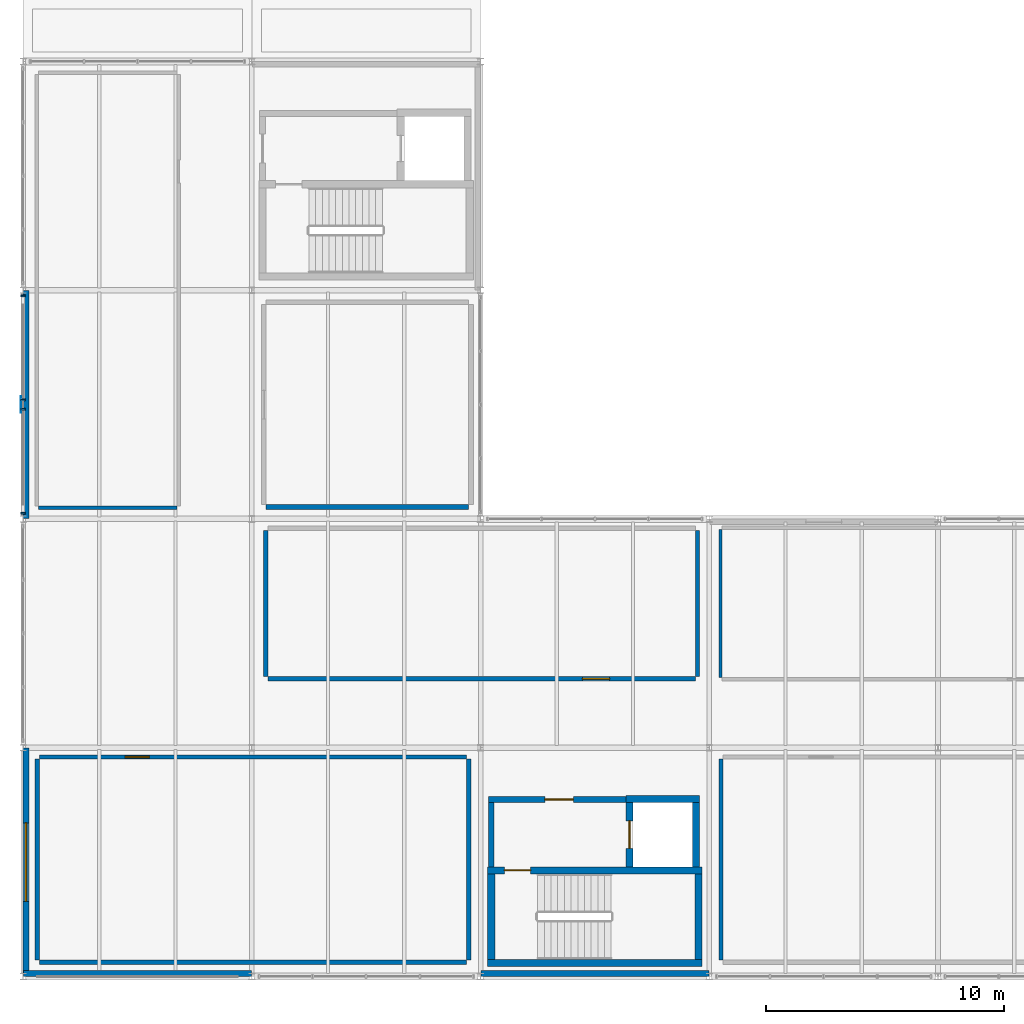
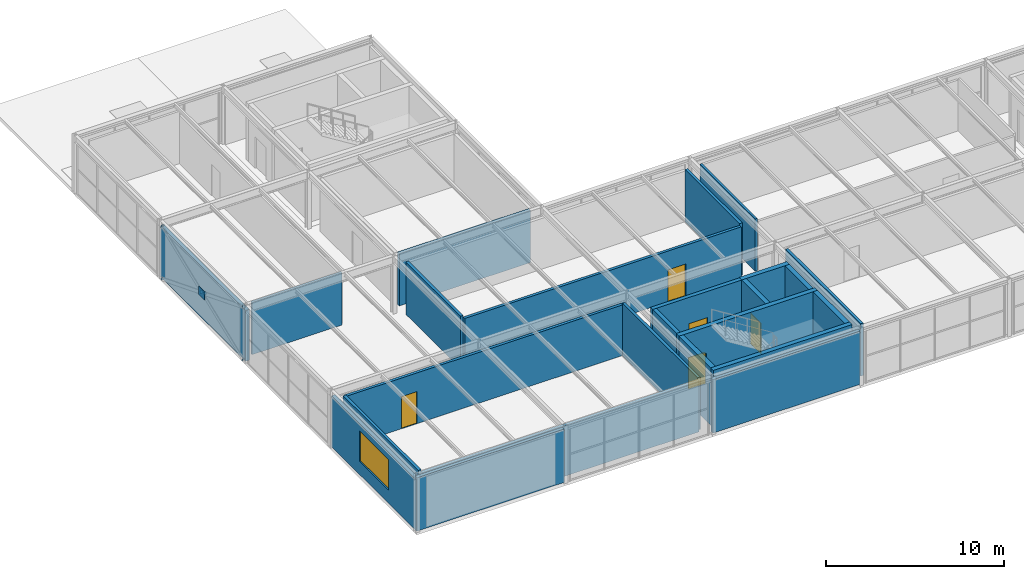
# One storey, part 34 of 39: 24 walls, 7 plates, 5 doors, 1 window, 6 openings.
"""IFC4 building model written with IfcOpenShell, lengths in metres."""

import ifcopenshell
import ifcopenshell.guid

model = None  # the IFC model being written
_history = None  # IfcOwnerHistory: only IFC2X3 demands one
_inside = {}  # id of a spatial element -> (the spatial element, [elements in it])
_under = {}  # id of a project, library or spatial element -> (it, [spatial elements below it])
_declared = {}  # id of a project -> (the project, [libraries it declares])
_typed = {}  # id of a type object -> (the type object, [elements of that type])
_made_of = {}  # id of a material, layer set ... -> (it, [elements and type objects made of it])


def new_model(schema):
    """Start an empty IFC model of exactly this schema.

    Asked for "IFC4X3", IfcOpenShell would pick the latest addendum, in which some entities
    have other attributes; the version numbers below select the first issue.
    IFC2X3 requires an IfcOwnerHistory on every rooted entity: one is made here for all.
    """
    global model, _history
    if schema == "IFC4X3":
        model = ifcopenshell.file(schema_version=(4, 3, 0, 0))
    else:
        model = ifcopenshell.file(schema=schema)
    _inside.clear()
    _under.clear()
    _declared.clear()
    _typed.clear()
    _made_of.clear()
    _history = None
    if model.schema == "IFC2X3":
        org = make("IfcOrganization", Name="unknown")
        user = make(
            "IfcPersonAndOrganization",
            ThePerson=make("IfcPerson", FamilyName="unknown"),
            TheOrganization=org,
        )
        app = make(
            "IfcApplication",
            ApplicationDeveloper=org,
            Version="unknown",
            ApplicationFullName="unknown",
            ApplicationIdentifier="unknown",
        )
        _history = make(
            "IfcOwnerHistory",
            OwningUser=user,
            OwningApplication=app,
            ChangeAction="ADDED",
            CreationDate=0,
        )
    return model


def make(cls, **values):
    """One entity of the class cls with the attributes given. An attribute that is None is left unset."""
    return model.create_entity(
        cls, **{name: value for name, value in values.items() if value is not None}
    )


def rooted(cls, **values):
    """An entity with a GlobalId (a new one), such as an element, a storey or a relation."""
    return make(cls, GlobalId=ifcopenshell.guid.new(), OwnerHistory=_history, **values)


def si_unit(unit_type, name, prefix=None):
    """IfcSIUnit, for example si_unit("LENGTHUNIT", "METRE", prefix="MILLI")."""
    return make("IfcSIUnit", UnitType=unit_type, Prefix=prefix, Name=name)


def assignment(units):
    """IfcUnitAssignment: the units of a project."""
    return None if units is None else make("IfcUnitAssignment", Units=units)


def point(xyz):
    """IfcCartesianPoint."""
    return None if xyz is None else make("IfcCartesianPoint", Coordinates=xyz)


def direction(xyz):
    """IfcDirection."""
    return None if xyz is None else make("IfcDirection", DirectionRatios=xyz)


def frame(location, z_axis=None, x_axis=None):
    """IfcAxis2Placement3D, a coordinate frame: its origin and axes. An axis left out is left unset."""
    return make(
        "IfcAxis2Placement3D",
        Location=point(location),
        Axis=direction(z_axis),
        RefDirection=direction(x_axis),
    )


def frame_2d(location, x_axis=None):
    """IfcAxis2Placement2D, a coordinate frame in the plane: its origin and x axis."""
    return make(
        "IfcAxis2Placement2D", Location=point(location), RefDirection=direction(x_axis)
    )


def origin():
    """The frame at (0, 0, 0) with its axes left unset."""
    return frame((0.0, 0.0, 0.0))


def origin_2d():
    """The frame at (0, 0) in the plane with its x axis left unset."""
    return frame_2d((0.0, 0.0))


def place(relative_to, where):
    """IfcLocalPlacement: puts the frame where relative to a parent placement (None: the world)."""
    return make(
        "IfcLocalPlacement", PlacementRelTo=relative_to, RelativePlacement=where
    )


def context(
    kind, dimensions, precision=None, world=None, true_north=None, identifier=None
):
    """IfcGeometricRepresentationContext, for example the 3D "Model" context."""
    return make(
        "IfcGeometricRepresentationContext",
        ContextIdentifier=identifier,
        ContextType=kind,
        CoordinateSpaceDimension=dimensions,
        Precision=precision,
        WorldCoordinateSystem=world,
        TrueNorth=true_north,
    )


def subcontext(parent, identifier, kind, view, scale=None):
    """IfcGeometricRepresentationSubContext, for example "Body" below "Model"."""
    return make(
        "IfcGeometricRepresentationSubContext",
        ContextIdentifier=identifier,
        ContextType=kind,
        ParentContext=parent,
        TargetScale=scale,
        TargetView=view,
    )


def project(units=None, contexts=None):
    """IfcProject with its units and contexts."""
    return rooted(
        "IfcProject",
        Name="project",
        RepresentationContexts=contexts,
        UnitsInContext=assignment(units),
    )


def spatial(cls, under=None, at=None, **own):
    """A site, building, storey or space (cls), placed at a placement, below another one or the project."""
    s = rooted(cls, ObjectPlacement=at, **own)
    if under is not None:
        _under.setdefault(under.id(), (under, []))[1].append(s)
    return s


def profile(cls, at=None, kind="AREA", **sizes):
    """A parametric profile (cls). Its sizes go by their IFC names, for example OverallWidth=200.0."""
    return make(cls, ProfileType=kind, Position=at, **sizes)


def rectangle(**sizes):
    """IfcRectangleProfileDef."""
    return profile("IfcRectangleProfileDef", **sizes)


def extrude(swept, where, along, depth):
    """IfcExtrudedAreaSolid: the profile swept, set in the frame where, extruded along a direction by depth."""
    return make(
        "IfcExtrudedAreaSolid",
        SweptArea=swept,
        Position=where,
        ExtrudedDirection=direction(along),
        Depth=depth,
    )


def shape(context_of_items, identifier, shape_type, items):
    """IfcShapeRepresentation: the items that make up one representation, for example the "Body"."""
    return make(
        "IfcShapeRepresentation",
        ContextOfItems=context_of_items,
        RepresentationIdentifier=identifier,
        RepresentationType=shape_type,
        Items=items,
    )


def material(Name=None, Category=None):
    """IfcMaterial."""
    return make("IfcMaterial", Name=Name, Category=Category)


def layer(
    of_material, thickness, ventilated=None, Name=None, Category=None, Priority=None
):
    """IfcMaterialLayer: one layer of a wall or slab, of a material (None: an air gap)."""
    return make(
        "IfcMaterialLayer",
        Material=of_material,
        LayerThickness=thickness,
        IsVentilated=ventilated,
        Name=Name,
        Category=Category,
        Priority=Priority,
    )


def layer_set(layers, Name=None):
    """IfcMaterialLayerSet."""
    return make("IfcMaterialLayerSet", MaterialLayers=layers, LayerSetName=Name)


def made_of(thing, what):
    """Note that an element or type object is made of a material, layer set ...; save() writes the relation."""
    if what is not None:
        _made_of.setdefault(what.id(), (what, []))[1].append(thing)
    return thing


def type_object(cls, material=None, **own):
    """A type object (cls), such as IfcWallType, which elements share."""
    return made_of(rooted(cls, **own), material)


def element(
    cls,
    number,
    at=None,
    inside=None,
    cuts=None,
    type_object=None,
    material=None,
    context=None,
    identifier="Body",
    shape_type=None,
    held_by="IfcProductDefinitionShape",
    body=None,
    shapes=None,
    **own,
):
    """One element of the class cls, such as IfcWall. Its Tag is "e" and its number.

    at: its placement. inside: the storey or other place that contains it. cuts: it is an
    opening in that element (IfcRelVoidsElement). A single representation is given by context,
    identifier, shape_type and body (its items); several are given by shapes. held_by: the class
    of the entity that holds the representations. save() writes the other relations.
    """
    e = rooted(cls, Tag="e%d" % number, ObjectPlacement=at, **own)
    if body is not None:
        shapes = [shape(context, identifier, shape_type, body)]
    if shapes is not None:
        e.Representation = make(held_by, Representations=shapes)
    if inside is not None:
        _inside.setdefault(inside.id(), (inside, []))[1].append(e)
    if cuts is not None:
        rooted(
            "IfcRelVoidsElement", RelatingBuildingElement=cuts, RelatedOpeningElement=e
        )
    if type_object is not None:
        _typed.setdefault(type_object.id(), (type_object, []))[1].append(e)
    return made_of(e, material)


def fill(opening, filler):
    """IfcRelFillsElement: the door or window that sits in an opening."""
    return rooted(
        "IfcRelFillsElement",
        RelatingOpeningElement=opening,
        RelatedBuildingElement=filler,
    )


def aggregate(whole, parts):
    """IfcRelAggregates: a whole, such as a stair, and the parts it consists of."""
    return rooted("IfcRelAggregates", RelatingObject=whole, RelatedObjects=parts)


def save(model, path):
    """Write the relations noted so far, then the file.

    IfcRelAggregates (storeys below a building ...), IfcRelContainedInSpatialStructure (elements
    in a storey), IfcRelDefinesByType, IfcRelAssociatesMaterial and IfcRelDeclares: one each for
    every whole, place, type object, material and project.
    """
    for whole, parts in _under.values():
        aggregate(whole, parts)
    for where, things in _inside.values():
        rooted(
            "IfcRelContainedInSpatialStructure",
            RelatedElements=things,
            RelatingStructure=where,
        )
    for kind, things in _typed.values():
        rooted("IfcRelDefinesByType", RelatedObjects=things, RelatingType=kind)
    for what, things in _made_of.values():
        rooted("IfcRelAssociatesMaterial", RelatedObjects=things, RelatingMaterial=what)
    for by, libraries in _declared.values():
        rooted("IfcRelDeclares", RelatingContext=by, RelatedDefinitions=libraries)
    model.write(path)


model = new_model("IFC4")

# Units and contexts
model_context = context("Model", 3, precision=1e-05, world=origin(), true_north=direction((0.0, 1.0)))
body_context = subcontext(model_context, "Body", "Model", "MODEL_VIEW")
ifc_project = project(units=[si_unit("LENGTHUNIT", "METRE"), si_unit("AREAUNIT", "SQUARE_METRE"), si_unit("VOLUMEUNIT", "CUBIC_METRE"), si_unit("PLANEANGLEUNIT", "RADIAN"), si_unit("MASSUNIT", "GRAM", prefix="KILO")], contexts=[model_context])

# Site, building, storey
site_placement = place(None, origin())
site = spatial("IfcSite", under=ifc_project, at=site_placement, CompositionType="ELEMENT")
building_placement = place(site_placement, origin())
building = spatial("IfcBuilding", under=site, at=building_placement, Name="Coralgate Yard Interchange", CompositionType="ELEMENT")
storey_placement = place(building_placement, frame((0.0, 0.0, 18.89990234375)))
storey = spatial("IfcBuildingStorey", under=building, at=storey_placement, Name="L04", CompositionType="ELEMENT", Elevation=18.89990234375)

# Plates
ifc_material_1 = material(Name="Structural steel S355J2", Category="steel")
ifc_layer_1 = layer(ifc_material_1, 0.01806640625)
ifc_layer_set_1 = layer_set([ifc_layer_1], Name="Structural steel S355J2")
plate_type_1 = type_object("IfcPlateType", Name="PLT-EP-18", PredefinedType="USERDEFINED", material=ifc_layer_set_1)
for number, where, z_axis, x_axis, name in (
    (1, (0.0, 19.44189453125, 0.02099609375), (0.0, -0.929806613064, -0.368048451025), (1.0, 0.0, 0.0), "Steel hollow section end cap plate CAP-BRC-L04-W-A-0"),
    (2, (0.0, 28.55810546875, 3.629150390625), (0.0, 0.929806613064, 0.368048451025), (-1.0, 0.0, 0.0), "Steel hollow section end cap plate CAP-BRC-L04-W-A-1"),
    (3, (0.0, 28.55810546875, 0.02099609375), (0.0, 0.929806613064, -0.368048451025), (-1.0, 0.0, 0.0), "Steel hollow section end cap plate CAP-BRC-L04-W-B1-0"),
    (4, (0.0, 24.206298828125, 1.7431640625), (0.0, -0.929806613064, 0.368048451025), (1.0, 0.0, 0.0), "Steel hollow section end cap plate CAP-BRC-L04-W-B1-1"),
    (5, (0.0, 23.793701171875, 1.906982421875), (0.0, 0.929806613064, -0.368048451025), (-1.0, 0.0, 0.0), "Steel hollow section end cap plate CAP-BRC-L04-W-B2-0"),
    (6, (0.0, 19.44189453125, 3.629150390625), (0.0, -0.929806613064, 0.368048451025), (1.0, 0.0, 0.0), "Steel hollow section end cap plate CAP-BRC-L04-W-B2-1"),
):
    element("IfcPlate", number, at=place(storey_placement, frame(where, z_axis=z_axis, x_axis=x_axis)), inside=storey, type_object=plate_type_1, Name=name, ObjectType="CAP PLATE", PredefinedType="USERDEFINED", context=body_context, shape_type="SweptSolid", body=[
        extrude(rectangle(XDim=0.179931640625, YDim=0.179931640625, at=origin_2d()), origin(), (0.0, 0.0, 1.0), 0.01806640625),
    ])
ifc_material_2 = material(Name="Yellow-ochre weather-coated structural steel S355J2", Category="steel")
ifc_layer_2 = layer(ifc_material_2, 0.02392578125)
ifc_layer_set_2 = layer_set([ifc_layer_2], Name="Yellow-ochre weather-coated structural steel S355J2")
plate_type_2 = type_object("IfcPlateType", Name="PLT-EP-24", PredefinedType="USERDEFINED", material=ifc_layer_set_2)
plate_placement = place(storey_placement, frame((-0.0859375, 24.0, 1.545166015625), z_axis=(0.0, 0.0, 1.0), x_axis=(0.0, 1.0, 0.0)))
element("IfcPlate", 7, at=plate_placement, inside=storey, type_object=plate_type_2, Name="L04 X-brace crossing gusset plate W", ObjectType="CAP PLATE", PredefinedType="USERDEFINED", context=body_context, shape_type="SweptSolid", body=[
    extrude(rectangle(XDim=0.679931640625, YDim=0.02392578125, at=origin_2d()), origin(), (0.0, 0.0, 1.0), 0.56005859375),
])

# Wall
ifc_material_3 = material(Name="Concrete C40/50", Category="concrete")
ifc_layer_3 = layer(ifc_material_3, 0.300048828125)
ifc_layer_set_3 = layer_set([ifc_layer_3], Name="Concrete C40/50")
wall_type_1 = type_object("IfcWallType", Name="WAL-CW300", PredefinedType="SHEAR", material=ifc_layer_set_3)
wall_1_placement = place(storey_placement, frame((19.5, 0.570068359375, 0.0), z_axis=(0.0, 0.0, 1.0), x_axis=(1.0, 0.0, 0.0)))
element("IfcWall", 8, at=wall_1_placement, inside=storey, type_object=wall_type_1, Name="C3 L04 stair south shear wall", PredefinedType="SHEAR", context=body_context, shape_type="SweptSolid", body=[
    extrude(rectangle(XDim=9.0, YDim=0.300048828125, at=frame_2d((4.5, 0.0))), origin(), (0.0, 0.0, 1.0), 3.9501953125),
])

# Wall, opening, door
wall_2_placement = place(storey_placement, frame((28.5, 4.449951171875, 0.0), z_axis=(0.0, 0.0, 1.0), x_axis=(-1.0, 0.0, 0.0)))
wall_2 = element("IfcWall", 9, at=wall_2_placement, inside=storey, type_object=wall_type_1, Name="C3 L04 stair north shear wall", PredefinedType="SHEAR", context=body_context, shape_type="SweptSolid", body=[
    extrude(rectangle(XDim=9.0, YDim=0.300048828125, at=frame_2d((4.5, 0.0))), origin(), (0.0, 0.0, 1.0), 3.9501953125),
])
opening_1_placement = place(wall_2_placement, frame((7.199951171875, 0.0, 0.0)))
opening_1 = element("IfcOpeningElement", 10, at=opening_1_placement, cuts=wall_2, Name="Opening FD-1", PredefinedType="OPENING", context=body_context, shape_type="SweptSolid", body=[
    extrude(rectangle(XDim=1.10009765625, YDim=2.14990234375, at=frame_2d((0.550048828125, 1.074951171875))), frame((0.0, 0.159912109375, 0.0), z_axis=(0.0, -1.0, 0.0), x_axis=(1.0, 0.0, 0.0)), (0.0, 0.0, 1.0), 0.320068359375),
])
ifc_material_4 = material(Name="Powder-coated steel fire door assembly", Category="steel")
door_type_1 = type_object("IfcDoorType", Name="DOR-FD-1", OperationType="NOTDEFINED", PredefinedType="DOOR", material=ifc_material_4)
door_1_placement = place(opening_1_placement, frame((1.10009765625, 0.0, 0.0), z_axis=(0.0, 0.0, 1.0), x_axis=(-1.0, 0.0, 0.0)))
door_1 = element("IfcDoor", 11, at=door_1_placement, inside=storey, type_object=door_type_1, Name="C3 L04 stair fire door", OperationType="SINGLE_SWING_LEFT", OverallHeight=2.14990234375, OverallWidth=1.10009765625, PredefinedType="DOOR", context=body_context, shape_type="SweptSolid", body=[
    extrude(rectangle(XDim=1.10009765625, YDim=2.14990234375, at=frame_2d((0.550048828125, 1.074951171875))), frame((0.0, 0.02490234375, 0.0), z_axis=(0.0, -1.0, 0.0), x_axis=(1.0, 0.0, 0.0)), (0.0, 0.0, 1.0), 0.050048828125),
])
fill(opening_1, door_1)

# Walls
for number, where, z_axis, x_axis, name in (
    (12, (19.64990234375, 0.719970703125, 0.0), (0.0, 0.0, 1.0), (0.0, 1.0, 0.0), "C3 L04 stair west shear wall"),
    (13, (28.35009765625, 4.300048828125, 0.0), (0.0, 0.0, 1.0), (0.0, -1.0, 0.0), "C3 L04 stair east shear wall"),
):
    element("IfcWall", number, at=place(storey_placement, frame(where, z_axis=z_axis, x_axis=x_axis)), inside=storey, type_object=wall_type_1, Name=name, PredefinedType="SHEAR", context=body_context, shape_type="SweptSolid", body=[
        extrude(rectangle(XDim=3.580078125, YDim=0.300048828125, at=frame_2d((1.7900390625, 0.0))), origin(), (0.0, 0.0, 1.0), 3.9501953125),
    ])

# Wall, opening, door
wall_3_placement = place(storey_placement, frame((25.449951171875, 7.300048828125, 0.0), z_axis=(0.0, 0.0, 1.0), x_axis=(0.0, -1.0, 0.0)))
wall_3 = element("IfcWall", 14, at=wall_3_placement, inside=storey, type_object=wall_type_1, Name="C3 L04 lift front shear wall", PredefinedType="SHEAR", context=body_context, shape_type="SweptSolid", body=[
    extrude(rectangle(XDim=2.699951171875, YDim=0.300048828125, at=frame_2d((1.35009765625, 0.0))), origin(), (0.0, 0.0, 1.0), 3.9501953125),
])
opening_2_placement = place(wall_3_placement, frame((0.77490234375, 0.0, 0.0)))
opening_2 = element("IfcOpeningElement", 15, at=opening_2_placement, cuts=wall_3, Name="Opening LD-2", PredefinedType="OPENING", context=body_context, shape_type="SweptSolid", body=[
    extrude(rectangle(XDim=1.14990234375, YDim=2.10009765625, at=frame_2d((0.574951171875, 1.050048828125))), frame((0.0, 0.159912109375, 0.0), z_axis=(0.0, -1.0, 0.0), x_axis=(1.0, 0.0, 0.0)), (0.0, 0.0, 1.0), 0.320068359375),
])
ifc_material_5 = material(Name="Brushed stainless steel passenger lift landing door", Category="steel")
door_type_2 = type_object("IfcDoorType", Name="DOR-LD-2", OperationType="DOUBLE_DOOR_SLIDING", PredefinedType="DOOR", material=ifc_material_5)
door_2_placement = place(opening_2_placement, frame((1.14990234375, 0.0, 0.0), z_axis=(0.0, 0.0, 1.0), x_axis=(-1.0, 0.0, 0.0)))
door_2 = element("IfcDoor", 16, at=door_2_placement, inside=storey, type_object=door_type_2, Name="LF-01 L04 sliding lift landing door", OperationType="DOUBLE_DOOR_SLIDING", OverallHeight=2.10009765625, OverallWidth=1.14990234375, PredefinedType="DOOR", context=body_context, shape_type="SweptSolid", body=[
    extrude(rectangle(XDim=1.14990234375, YDim=2.10009765625, at=frame_2d((0.574951171875, 1.050048828125))), frame((0.0, 0.02490234375, 0.0), z_axis=(0.0, -1.0, 0.0), x_axis=(1.0, 0.0, 0.0)), (0.0, 0.0, 1.0), 0.050048828125),
])
fill(opening_2, door_2)

# Walls
wall_4_placement = place(storey_placement, frame((28.25, 4.60009765625, 0.0), z_axis=(0.0, 0.0, 1.0), x_axis=(0.0, 1.0, 0.0)))
element("IfcWall", 17, at=wall_4_placement, inside=storey, type_object=wall_type_1, Name="C3 L04 lift rear shear wall", PredefinedType="SHEAR", context=body_context, shape_type="SweptSolid", body=[
    extrude(rectangle(XDim=2.699951171875, YDim=0.300048828125, at=frame_2d((1.35009765625, 0.0))), origin(), (0.0, 0.0, 1.0), 3.9501953125),
])
wall_5_placement = place(storey_placement, frame((25.300048828125, 7.449951171875, 0.0), z_axis=(0.0, 0.0, 1.0), x_axis=(1.0, 0.0, 0.0)))
element("IfcWall", 18, at=wall_5_placement, inside=storey, type_object=wall_type_1, Name="C3 L04 lift north shear wall", PredefinedType="SHEAR", context=body_context, shape_type="SweptSolid", body=[
    extrude(rectangle(XDim=3.099853515625, YDim=0.300048828125, at=frame_2d((1.5498046875, 0.0))), origin(), (0.0, 0.0, 1.0), 3.9501953125),
])
ifc_material_6 = material(Name="Insulated rendered concrete blockwork", Category="masonry")
ifc_layer_4 = layer(ifc_material_6, 0.239990234375)
ifc_layer_set_4 = layer_set([ifc_layer_4], Name="Insulated rendered concrete blockwork")
wall_type_2 = type_object("IfcWallType", Name="WAL-EW-240", PredefinedType="SOLIDWALL", material=ifc_layer_set_4)
wall_6_placement = place(storey_placement, frame((9.580078125, 0.1201171875, 0.0), z_axis=(0.0, 0.0, 1.0), x_axis=(-1.0, 0.0, 0.0)))
element("IfcWall", 19, at=wall_6_placement, inside=storey, type_object=wall_type_2, Name="L04 exterior coastal wall S 0-0", PredefinedType="SOLIDWALL", context=body_context, shape_type="SweptSolid", body=[
    extrude(rectangle(XDim=9.56005859375, YDim=0.239990234375, at=frame_2d((4.780029296875, 0.0))), origin(), (0.0, 0.0, 1.0), 3.66015625),
])

# Wall, opening, window
wall_7_placement = place(storey_placement, frame((0.1201171875, 0.02001953125, 0.0), z_axis=(0.0, 0.0, 1.0), x_axis=(0.0, 1.0, 0.0)))
wall_7 = element("IfcWall", 20, at=wall_7_placement, inside=storey, type_object=wall_type_2, Name="L04 exterior coastal wall W 0-0", PredefinedType="SOLIDWALL", context=body_context, shape_type="SweptSolid", body=[
    extrude(rectangle(XDim=9.56005859375, YDim=0.239990234375, at=frame_2d((4.780029296875, 0.0))), origin(), (0.0, 0.0, 1.0), 3.4931640625),
])
opening_3_placement = place(wall_7_placement, frame((3.1298828125, 0.0, 0.89990234375)))
opening_3 = element("IfcOpeningElement", 21, at=opening_3_placement, cuts=wall_7, Name="Opening W-21", PredefinedType="OPENING", context=body_context, shape_type="SweptSolid", body=[
    extrude(rectangle(XDim=3.300048828125, YDim=2.10009765625, at=frame_2d((1.64990234375, 1.050048828125))), frame((0.0, 0.1298828125, 0.0), z_axis=(0.0, -1.0, 0.0), x_axis=(1.0, 0.0, 0.0)), (0.0, 0.0, 1.0), 0.260009765625),
])
ifc_material_7 = material(Name="Thermally broken anodised aluminium and solar-control low-E glass", Category="aluminium")
window_type = type_object("IfcWindowType", Name="WIN-W-21", PartitioningType="SINGLE_PANEL", PredefinedType="WINDOW", material=ifc_material_7)
window_placement = place(opening_3_placement, origin())
window = element("IfcWindow", 22, at=window_placement, inside=storey, type_object=window_type, Name="L04 coastal facade window W-0-0", OverallHeight=2.10009765625, OverallWidth=3.300048828125, PartitioningType="SINGLE_PANEL", PredefinedType="WINDOW", context=body_context, shape_type="SweptSolid", body=[
    extrude(rectangle(XDim=3.300048828125, YDim=2.10009765625, at=frame_2d((1.64990234375, 1.050048828125))), frame((0.0, 0.030029296875, 0.0), z_axis=(0.0, -1.0, 0.0), x_axis=(1.0, 0.0, 0.0)), (0.0, 0.0, 1.0), 0.06005859375),
])
fill(opening_3, window)

# Walls
wall_8_placement = place(storey_placement, frame((0.1201171875, 19.219970703125, 0.0), z_axis=(0.0, 0.0, 1.0), x_axis=(0.0, 1.0, 0.0)))
element("IfcWall", 23, at=wall_8_placement, inside=storey, type_object=wall_type_2, Name="L04 exterior coastal wall W 0-2", PredefinedType="SOLIDWALL", context=body_context, shape_type="SweptSolid", body=[
    extrude(rectangle(XDim=9.56005859375, YDim=0.239990234375, at=frame_2d((4.780029296875, 0.0))), origin(), (0.0, 0.0, 1.0), 3.4931640625),
])
wall_9_placement = place(storey_placement, frame((28.780029296875, 0.1201171875, 0.0), z_axis=(0.0, 0.0, 1.0), x_axis=(-1.0, 0.0, 0.0)))
element("IfcWall", 24, at=wall_9_placement, inside=storey, type_object=wall_type_2, Name="L04 exterior coastal wall S 2-0", PredefinedType="SOLIDWALL", context=body_context, shape_type="SweptSolid", body=[
    extrude(rectangle(XDim=9.56005859375, YDim=0.239990234375, at=frame_2d((4.780029296875, 0.0))), origin(), (0.0, 0.0, 1.0), 3.66015625),
])
ifc_material_8 = material(Name="Acoustic twin-stud office partition")
ifc_layer_5 = layer(ifc_material_8, 0.139892578125)
ifc_layer_set_5 = layer_set([ifc_layer_5], Name="Acoustic twin-stud office partition")
wall_type_3 = type_object("IfcWallType", Name="WAL-PW-140", PredefinedType="PARTITIONING", material=ifc_layer_set_5)
wall_10_placement = place(storey_placement, frame((29.27001953125, 12.5400390625, 0.0), z_axis=(0.0, 0.0, 1.0), x_axis=(0.0, 1.0, 0.0)))
element("IfcWall", 25, at=wall_10_placement, inside=storey, type_object=wall_type_3, Name="Operations Training Classroom 02 partition W", PredefinedType="PARTITIONING", context=body_context, shape_type="SweptSolid", body=[
    extrude(rectangle(XDim=6.219970703125, YDim=0.139892578125, at=frame_2d((3.10986328125, 0.0))), origin(), (0.0, 0.0, 1.0), 3.590087890625),
])
wall_11_placement = place(storey_placement, frame((6.4599609375, 19.669921875, 0.0), z_axis=(0.0, 0.0, 1.0), x_axis=(-1.0, 0.0, 0.0)))
element("IfcWall", 26, at=wall_11_placement, inside=storey, type_object=wall_type_3, Name="Transit Technical Library and Study Room partition S", PredefinedType="PARTITIONING", context=body_context, shape_type="SweptSolid", body=[
    extrude(rectangle(XDim=5.820068359375, YDim=0.139892578125, at=frame_2d((2.91015625, 0.0))), origin(), (0.0, 0.0, 1.0), 3.590087890625),
])
ifc_material_9 = material(Name="Acoustic concrete blockwork", Category="masonry")
ifc_layer_6 = layer(ifc_material_9, 0.179931640625)
ifc_layer_set_6 = layer_set([ifc_layer_6], Name="Acoustic concrete blockwork")
wall_type_4 = type_object("IfcWallType", Name="WAL-PW-180", PredefinedType="PARTITIONING", material=ifc_layer_set_6)
wall_12_placement = place(storey_placement, frame((18.6201171875, 0.590087890625, 0.0), z_axis=(0.0, 0.0, 1.0), x_axis=(-1.0, 0.0, 0.0)))
element("IfcWall", 27, at=wall_12_placement, inside=storey, type_object=wall_type_4, Name="Full-Cab Metro Driving Simulator Studio partition S", PredefinedType="PARTITIONING", context=body_context, shape_type="SweptSolid", body=[
    extrude(rectangle(XDim=17.940185546875, YDim=0.179931640625, at=frame_2d((8.97021484375, 0.0))), origin(), (0.0, 0.0, 1.0), 3.483154296875),
])

# Wall, opening, door
wall_13_placement = place(storey_placement, frame((0.679931640625, 9.2099609375, 0.0), z_axis=(0.0, 0.0, 1.0), x_axis=(1.0, 0.0, 0.0)))
wall_13 = element("IfcWall", 28, at=wall_13_placement, inside=storey, type_object=wall_type_4, Name="Full-Cab Metro Driving Simulator Studio partition N", PredefinedType="PARTITIONING", context=body_context, shape_type="SweptSolid", body=[
    extrude(rectangle(XDim=17.940185546875, YDim=0.179931640625, at=frame_2d((8.97021484375, 0.0))), origin(), (0.0, 0.0, 1.0), 3.483154296875),
])
opening_4_placement = place(wall_13_placement, frame((3.60009765625, 0.0, 0.0)))
opening_4 = element("IfcOpeningElement", 29, at=opening_4_placement, cuts=wall_13, Name="Opening ID-13", PredefinedType="OPENING", context=body_context, shape_type="SweptSolid", body=[
    extrude(rectangle(XDim=1.02001953125, YDim=2.199951171875, at=frame_2d((0.510009765625, 1.10009765625))), frame((0.0, 0.099853515625, 0.0), z_axis=(0.0, -1.0, 0.0), x_axis=(1.0, 0.0, 0.0)), (0.0, 0.0, 1.0), 0.199951171875),
])
ifc_material_10 = material(Name="Acoustic timber simulator room door", Category="wood")
door_type_3 = type_object("IfcDoorType", Name="DOR-ID-13", OperationType="NOTDEFINED", PredefinedType="DOOR", material=ifc_material_10)
door_3_placement = place(opening_4_placement, origin())
door_3 = element("IfcDoor", 30, at=door_3_placement, inside=storey, type_object=door_type_3, Name="Full-Cab Metro Driving Simulator Studio door", OperationType="SINGLE_SWING_RIGHT", OverallHeight=2.199951171875, OverallWidth=1.02001953125, PredefinedType="DOOR", context=body_context, shape_type="SweptSolid", body=[
    extrude(rectangle(XDim=1.02001953125, YDim=2.199951171875, at=frame_2d((0.510009765625, 1.10009765625))), frame((0.0, 0.02490234375, 0.0), z_axis=(0.0, -1.0, 0.0), x_axis=(1.0, 0.0, 0.0)), (0.0, 0.0, 1.0), 0.050048828125),
])
fill(opening_4, door_3)

# Walls
for number, where, z_axis, x_axis, name in (
    (31, (0.590087890625, 0.679931640625, 0.0), (0.0, 0.0, 1.0), (0.0, 1.0, 0.0), "Full-Cab Metro Driving Simulator Studio partition W"),
    (32, (18.7099609375, 9.1201171875, 0.0), (0.0, 0.0, 1.0), (0.0, -1.0, 0.0), "Full-Cab Metro Driving Simulator Studio partition E"),
    (33, (29.2900390625, 0.679931640625, 0.0), (0.0, 0.0, 1.0), (0.0, 1.0, 0.0), "Articulated Bus Simulator Studio partition W"),
):
    element("IfcWall", number, at=place(storey_placement, frame(where, z_axis=z_axis, x_axis=x_axis)), inside=storey, type_object=wall_type_4, Name=name, PredefinedType="PARTITIONING", context=body_context, shape_type="SweptSolid", body=[
        extrude(rectangle(XDim=8.440185546875, YDim=0.179931640625, at=frame_2d((4.22021484375, 0.0))), origin(), (0.0, 0.0, 1.0), 3.590087890625),
    ])

# Wall, opening, door
wall_14_placement = place(storey_placement, frame((28.219970703125, 12.489990234375, 0.0), z_axis=(0.0, 0.0, 1.0), x_axis=(-1.0, 0.0, 0.0)))
wall_14 = element("IfcWall", 34, at=wall_14_placement, inside=storey, type_object=wall_type_4, Name="Training Network Server Room partition S", PredefinedType="PARTITIONING", context=body_context, shape_type="SweptSolid", body=[
    extrude(rectangle(XDim=17.93994140625, YDim=0.179931640625, at=frame_2d((8.969970703125, 0.0))), origin(), (0.0, 0.0, 1.0), 3.483154296875),
])
opening_5_placement = place(wall_14_placement, frame((3.60009765625, 0.0, 0.0)))
opening_5 = element("IfcOpeningElement", 35, at=opening_5_placement, cuts=wall_14, Name="Opening ID-15", PredefinedType="OPENING", context=body_context, shape_type="SweptSolid", body=[
    extrude(rectangle(XDim=1.14990234375, YDim=2.199951171875, at=frame_2d((0.574951171875, 1.10009765625))), frame((0.0, 0.099853515625, 0.0), z_axis=(0.0, -1.0, 0.0), x_axis=(1.0, 0.0, 0.0)), (0.0, 0.0, 1.0), 0.199951171875),
])
ifc_material_11 = material(Name="Steel electrical riser and UPS door", Category="steel")
door_type_4 = type_object("IfcDoorType", Name="DOR-ID-15", OperationType="NOTDEFINED", PredefinedType="DOOR", material=ifc_material_11)
door_4_placement = place(opening_5_placement, frame((1.14990234375, 0.0, 0.0), z_axis=(0.0, 0.0, 1.0), x_axis=(-1.0, 0.0, 0.0)))
door_4 = element("IfcDoor", 36, at=door_4_placement, inside=storey, type_object=door_type_4, Name="Training Network Server Room door", OperationType="SINGLE_SWING_RIGHT", OverallHeight=2.199951171875, OverallWidth=1.14990234375, PredefinedType="DOOR", context=body_context, shape_type="SweptSolid", body=[
    extrude(rectangle(XDim=1.14990234375, YDim=2.199951171875, at=frame_2d((0.574951171875, 1.10009765625))), frame((0.0, 0.02490234375, 0.0), z_axis=(0.0, -1.0, 0.0), x_axis=(1.0, 0.0, 0.0)), (0.0, 0.0, 1.0), 0.050048828125),
])
fill(opening_5, door_4)

# Walls
for number, where, z_axis, x_axis, name in (
    (37, (10.18994140625, 12.580078125, 0.0), (0.0, 0.0, 1.0), (0.0, 1.0, 0.0), "Training Network Server Room partition W"),
    (38, (28.31005859375, 18.719970703125, 0.0), (0.0, 0.0, 1.0), (0.0, -1.0, 0.0), "Training Network Server Room partition E"),
):
    element("IfcWall", number, at=place(storey_placement, frame(where, z_axis=z_axis, x_axis=x_axis)), inside=storey, type_object=wall_type_4, Name=name, PredefinedType="PARTITIONING", context=body_context, shape_type="SweptSolid", body=[
        extrude(rectangle(XDim=6.139892578125, YDim=0.179931640625, at=frame_2d((3.06982421875, 0.0))), origin(), (0.0, 0.0, 1.0), 3.590087890625),
    ])
ifc_material_12 = material(Name="Concrete blockwork masonry", Category="masonry")
ifc_layer_7 = layer(ifc_material_12, 0.199951171875)
ifc_layer_set_7 = layer_set([ifc_layer_7], Name="Concrete blockwork masonry")
wall_type_5 = type_object("IfcWallType", Name="WAL-PW-200", PredefinedType="PARTITIONING", material=ifc_layer_set_7)
wall_15_placement = place(storey_placement, frame((18.699951171875, 19.699951171875, 0.0), z_axis=(0.0, 0.0, 1.0), x_axis=(-1.0, 0.0, 0.0)))
element("IfcWall", 39, at=wall_15_placement, inside=storey, type_object=wall_type_5, Name="Engineering Drawings and Records Archive partition S", PredefinedType="PARTITIONING", context=body_context, shape_type="SweptSolid", body=[
    extrude(rectangle(XDim=8.5, YDim=0.199951171875, at=frame_2d((4.25, 0.0))), origin(), (0.0, 0.0, 1.0), 3.590087890625),
])

# Wall, opening, door
ifc_layer_8 = layer(ifc_material_3, 0.25)
ifc_layer_set_8 = layer_set([ifc_layer_8], Name="Concrete C40/50")
wall_type_6 = type_object("IfcWallType", Name="WAL-SW250", PredefinedType="SHEAR", material=ifc_layer_set_8)
wall_16_placement = place(storey_placement, frame((25.300048828125, 7.425048828125, 0.0), z_axis=(0.0, 0.0, 1.0), x_axis=(-1.0, 0.0, 0.0)))
wall_16 = element("IfcWall", 40, at=wall_16_placement, inside=storey, type_object=wall_type_6, Name="C3 L04 lobby north fire wall", PredefinedType="SHEAR", context=body_context, shape_type="SweptSolid", body=[
    extrude(rectangle(XDim=5.775146484375, YDim=0.25, at=frame_2d((2.8876953125, 0.0))), origin(), (0.0, 0.0, 1.0), 3.9501953125),
])
opening_6_placement = place(wall_16_placement, frame((2.199951171875, 0.0, 0.0)))
opening_6 = element("IfcOpeningElement", 41, at=opening_6_placement, cuts=wall_16, Name="Opening FD-2", PredefinedType="OPENING", context=body_context, shape_type="SweptSolid", body=[
    extrude(rectangle(XDim=1.199951171875, YDim=2.14990234375, at=frame_2d((0.60009765625, 1.074951171875))), frame((0.0, 0.135009765625, 0.0), z_axis=(0.0, -1.0, 0.0), x_axis=(1.0, 0.0, 0.0)), (0.0, 0.0, 1.0), 0.27001953125),
])
door_type_5 = type_object("IfcDoorType", Name="DOR-FD-2", OperationType="NOTDEFINED", PredefinedType="DOOR", material=ifc_material_4)
door_5_placement = place(opening_6_placement, origin())
door_5 = element("IfcDoor", 42, at=door_5_placement, inside=storey, type_object=door_type_5, Name="C3 L04 lobby fire door", OperationType="SINGLE_SWING_RIGHT", OverallHeight=2.14990234375, OverallWidth=1.199951171875, PredefinedType="DOOR", context=body_context, shape_type="SweptSolid", body=[
    extrude(rectangle(XDim=1.199951171875, YDim=2.14990234375, at=frame_2d((0.60009765625, 1.074951171875))), frame((0.0, 0.02490234375, 0.0), z_axis=(0.0, -1.0, 0.0), x_axis=(1.0, 0.0, 0.0)), (0.0, 0.0, 1.0), 0.050048828125),
])
fill(opening_6, door_5)

# Wall
wall_17_placement = place(storey_placement, frame((19.64990234375, 4.60009765625, 0.0), z_axis=(0.0, 0.0, 1.0), x_axis=(0.0, 1.0, 0.0)))
element("IfcWall", 43, at=wall_17_placement, inside=storey, type_object=wall_type_6, Name="C3 L04 lobby west fire wall", PredefinedType="SHEAR", context=body_context, shape_type="SweptSolid", body=[
    extrude(rectangle(XDim=2.699951171875, YDim=0.25, at=frame_2d((1.35009765625, 0.0))), origin(), (0.0, 0.0, 1.0), 3.9501953125),
])

save(model, "model.ifc")
